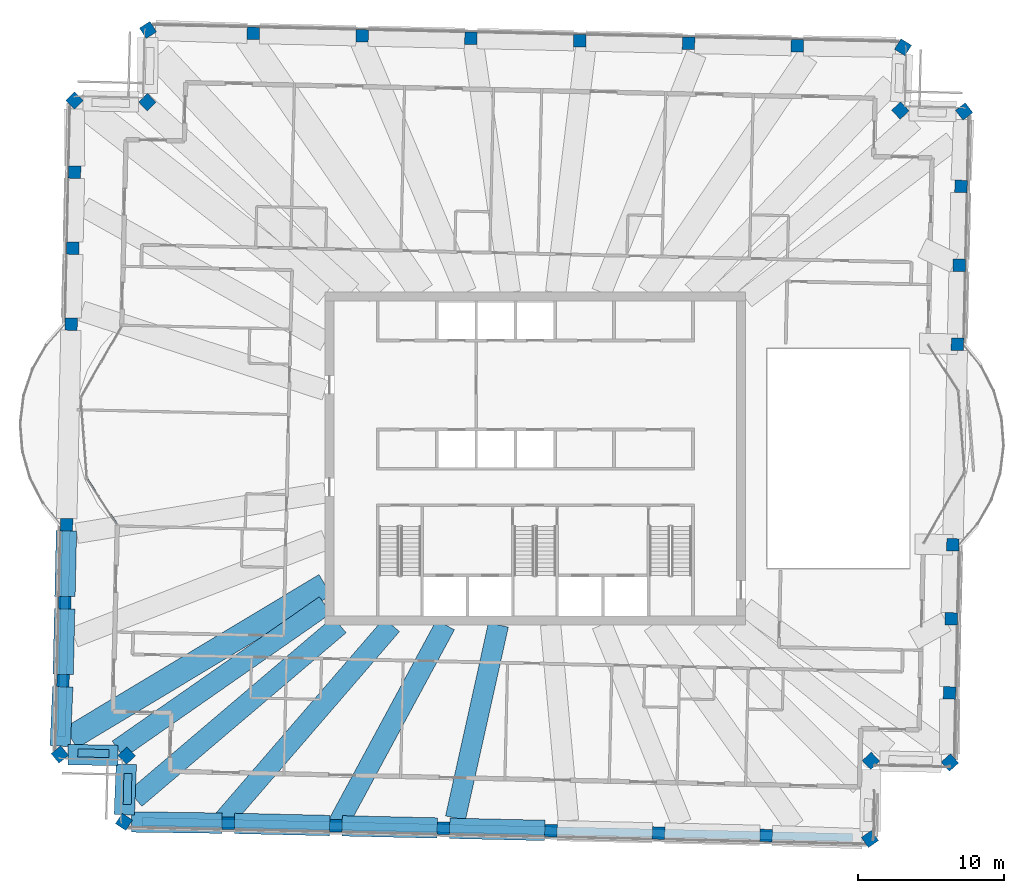
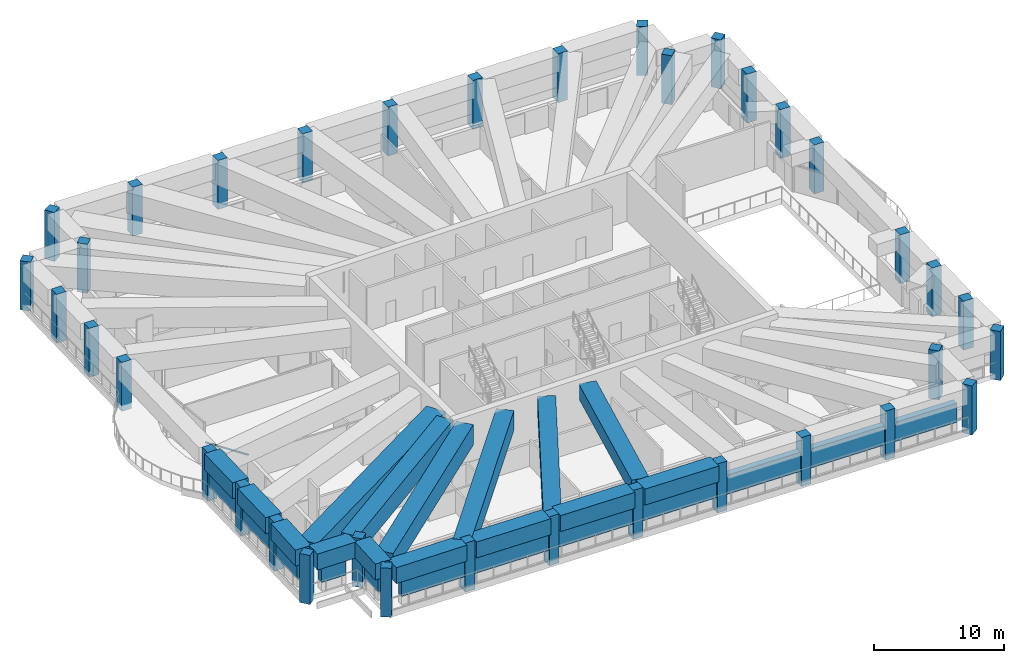
# One storey, part 1 of 21: 36 columns, 15 beams, 5 members, 1 element without a shape of its own.
"""IFC4 building model written with IfcOpenShell, lengths in metres."""

from ifc_helpers import new_model, si_unit, direction, frame, origin, origin_2d, place, context, subcontext, project, spatial, rectangle, extrude, material, material_profile, profile_set, type_object, element, aggregate, save


model = new_model("IFC4")

# Units and contexts
model_context = context("Model", 3, precision=1e-05, world=origin(), true_north=direction((0.0, 1.0)))
body_context = subcontext(model_context, "Body", "Model", "MODEL_VIEW")
ifc_project = project(units=[si_unit("LENGTHUNIT", "METRE"), si_unit("AREAUNIT", "SQUARE_METRE"), si_unit("VOLUMEUNIT", "CUBIC_METRE"), si_unit("PLANEANGLEUNIT", "RADIAN"), si_unit("MASSUNIT", "GRAM", prefix="KILO")], contexts=[model_context])

# Site, building, storey
site_placement = place(None, origin())
site = spatial("IfcSite", under=ifc_project, at=site_placement, CompositionType="ELEMENT")
building_placement = place(site_placement, origin())
building = spatial("IfcBuilding", under=site, at=building_placement, Name="Mangrove Gate Tower", CompositionType="ELEMENT")
storey_placement = place(building_placement, frame((0.0, 0.0, 329.699951171875)))
storey = spatial("IfcBuildingStorey", under=building, at=storey_placement, Name="L84", CompositionType="ELEMENT", Elevation=329.699951171875)

# Columns
ifc_material_1 = material(Name="Concrete C50/60", Category="concrete")
ifc_material_profile_1 = material_profile(ifc_material_1, rectangle(XDim=0.85009765625, YDim=0.85009765625, at=origin_2d()))
ifc_profile_set_1 = profile_set([ifc_material_profile_1], Name="Concrete C50/60")
column_type = type_object("IfcColumnType", Name="Column RC 850x850 C50/60", PredefinedType="COLUMN", material=ifc_profile_set_1)
for number, where, z_axis, x_axis, name in (
    (1, (-32.123046875, -4.53466796875, -0.550048828125), (0.0, 0.0, 1.0), (-0.022679760793, -0.999742781144, 0.0), "Column L84 W06"),
    (2, (-32.244140625, -9.87451171875, -0.550048828125), (0.0, 0.0, 1.0), (-0.022653360746, -0.999743379696, 0.0), "Column L84 W07"),
    (3, (-32.364990234375, -15.214599609375, -0.550048828125), (0.0, 0.0, 1.0), (-0.022746921185, -0.999741255314, 0.0), "Column L84 W08"),
    (4, (-32.583740234375, -20.275146484375, -0.550048828125), (0.0, 0.0, 1.0), (0.63510539695, -0.772425488164, 0.0), "Column L84 W09"),
    (5, (-28.005615234375, -20.3564453125, -0.550048828125), (0.0, 0.0, 1.0), (0.690863130287, -0.722985570541, 0.0), "Column L84 W10"),
    (6, (-28.183837890625, -24.8935546875, -0.550048828125), (0.0, 0.0, 1.0), (0.836135337265, -0.548523197118, 0.0), "Column L84 S01"),
    (7, (-21.038330078125, -24.9912109375, -0.550048828125), (0.0, 0.0, 1.0), (0.999743338971, -0.022655157973, 0.0), "Column L84 S02"),
    (8, (-13.66845703125, -25.158203125, -0.550048828125), (0.0, 0.0, 1.0), (0.999743338971, -0.022655157973, 0.0), "Column L84 S03"),
    (9, (-6.29931640625, -25.3251953125, -0.550048828125), (0.0, 0.0, 1.0), (0.999743338971, -0.022655157973, 0.0), "Column L84 S04"),
    (10, (1.070556640625, -25.4921875, -0.550048828125), (0.0, 0.0, 1.0), (0.999741800516, -0.02272294656, 0.0), "Column L84 S05"),
    (11, (8.439697265625, -25.66015625, -0.550048828125), (0.0, 0.0, 1.0), (0.999741800516, -0.02272294656, 0.0), "Column L84 S06"),
    (12, (15.8095703125, -25.8271484375, -0.550048828125), (0.0, 0.0, 1.0), (0.999743373766, -0.022653622478, 0.0), "Column L84 S07"),
    (13, (22.9267578125, -26.070556640625, -0.550048828125), (0.0, 0.0, 1.0), (0.81992028728, 0.572477704812, 0.0), "Column L84 S08"),
    (14, (22.998291015625, -20.713623046875, -0.550048828125), (0.0, 0.0, 1.0), (0.722965976266, 0.690883635037, 0.0), "Column L84 E01"),
    (15, (28.406982421875, -20.826904296875, -0.550048828125), (0.0, 0.0, 1.0), (0.744004906603, 0.66817415316, 0.0), "Column L84 E02"),
    (16, (28.381103515625, -16.059326171875, -0.550048828125), (0.0, 0.0, 1.0), (0.022660985877, 0.999743206888, 0.0), "Column L84 E03"),
    (17, (28.49609375, -10.986328125, -0.550048828125), (0.0, 0.0, 1.0), (0.022660985877, 0.999743206888, 0.0), "Column L84 E04"),
    (18, (28.611083984375, -5.912353515625, -0.550048828125), (0.0, 0.0, 1.0), (0.022681592917, 0.99974273958, 0.0), "Column L84 E05"),
    (19, (28.923095703125, 7.834716796875, -0.550048828125), (0.0, 0.0, 1.0), (0.022704799818, 0.999742212805, 0.0), "Column L84 E06"),
    (20, (29.046142578125, 13.24169921875, -0.550048828125), (0.0, 0.0, 1.0), (0.022652104431, 0.999743408163, 0.0), "Column L84 E07"),
    (21, (29.168212890625, 18.647705078125, -0.550048828125), (0.0, 0.0, 1.0), (0.022652104431, 0.999743408163, 0.0), "Column L84 E08"),
    (22, (29.38037109375, 23.784423828125, -0.550048828125), (0.0, 0.0, 1.0), (-0.613294984085, 0.789853950104, 0.0), "Column L84 E09"),
    (23, (25.009765625, 23.851318359375, -0.550048828125), (0.0, 0.0, 1.0), (-0.690854032309, 0.722994264183, 0.0), "Column L84 E10"),
    (24, (25.19287109375, 28.182861328125, -0.550048828125), (0.0, 0.0, 1.0), (-0.849493800932, 0.527598599484, 0.0), "Column L84 N01"),
    (25, (17.952392578125, 28.2880859375, -0.550048828125), (0.0, 0.0, 1.0), (-0.999743149141, 0.022663533403, 0.0), "Column L84 N02"),
    (26, (10.497314453125, 28.45703125, -0.550048828125), (0.0, 0.0, 1.0), (-0.999741662484, 0.022729018737, 0.0), "Column L84 N03"),
    (27, (3.041259765625, 28.627197265625, -0.550048828125), (0.0, 0.0, 1.0), (-0.999741662484, 0.022729018737, 0.0), "Column L84 N04"),
    (28, (-4.41357421875, 28.796142578125, -0.550048828125), (0.0, 0.0, 1.0), (-0.999743149141, 0.022663533403, 0.0), "Column L84 N05"),
    (29, (-11.86865234375, 28.965087890625, -0.550048828125), (0.0, 0.0, 1.0), (-0.999743149141, 0.022663533403, 0.0), "Column L84 N06"),
    (30, (-19.32373046875, 29.134033203125, -0.550048828125), (0.0, 0.0, 1.0), (-0.999743149141, 0.022663533403, 0.0), "Column L84 N07"),
    (31, (-26.54052734375, 29.36962890625, -0.550048828125), (0.0, 0.0, 1.0), (-0.843037190886, -0.537855273082, 0.0), "Column L84 N08"),
    (32, (-26.58935546875, 24.422607421875, -0.550048828125), (0.0, 0.0, 1.0), (-0.723044060513, -0.690801915571, 0.0), "Column L84 W01"),
    (33, (-31.582275390625, 24.541748046875, -0.550048828125), (0.0, 0.0, 1.0), (-0.708697722555, -0.70551225223, 0.0), "Column L84 W02"),
    (34, (-31.5751953125, 19.62646484375, -0.550048828125), (0.0, 0.0, 1.0), (-0.022655978068, -0.999743320387, 0.0), "Column L84 W03"),
    (35, (-31.693115234375, 14.41943359375, -0.550048828125), (0.0, 0.0, 1.0), (-0.022655978068, -0.999743320387, 0.0), "Column L84 W04"),
    (36, (-31.81103515625, 9.21240234375, -0.550048828125), (0.0, 0.0, 1.0), (-0.022680668131, -0.999742760561, 0.0), "Column L84 W05"),
):
    element("IfcColumn", number, at=place(storey_placement, frame(where, z_axis=z_axis, x_axis=x_axis)), inside=storey, type_object=column_type, Name=name, PredefinedType="COLUMN", context=body_context, shape_type="SweptSolid", body=[
        extrude(rectangle(XDim=0.85009765625, YDim=0.85009765625, at=origin_2d()), origin(), (0.0, 0.0, 1.0), 4.60009765625),
    ])

# Curtain wall, member
ifc_material_2 = material(Name="Aluminium and glass curtain wall", Category="aluminium")
curtain_wall_type = type_object("IfcCurtainWallType", Name="Crown garden glazing wall", PredefinedType="NOTDEFINED", material=ifc_material_2)
curtain_wall_placement = place(storey_placement, origin())
curtain_wall = element("IfcCurtainWall", 37, at=curtain_wall_placement, inside=storey, type_object=curtain_wall_type, Name="Crown garden glazing W9f3", PredefinedType="NOTDEFINED")
ifc_material_3 = material(Name="Aluminium alloy 6063-T6", Category="aluminium")
ifc_material_profile_2 = material_profile(ifc_material_3, rectangle(XDim=0.06005859375, YDim=0.110107421875, at=origin_2d()))
ifc_profile_set_2 = profile_set([ifc_material_profile_2], Name="Aluminium alloy 6063-T6")
member_type_1 = type_object("IfcMemberType", Name="Crown garden glazing transom 60x110", PredefinedType="USERDEFINED", material=ifc_profile_set_2)
member_1_placement = place(storey_placement, frame((-30.699462890625, -1.412353515625, 2.219970703125), z_axis=(0.546211360714, -0.837647389674, 0.0), x_axis=(0.0, 0.0, 1.0)))
member_1 = element("IfcMember", 38, at=member_1_placement, type_object=member_type_1, Name="CWC transom 1.2", ObjectType="TRANSOM", PredefinedType="USERDEFINED", context=body_context, shape_type="SweptSolid", body=[
    extrude(rectangle(XDim=0.06005859375, YDim=0.110107421875, at=origin_2d()), origin(), (0.0, 0.0, 1.0), 3.696044921875),
])
aggregate(curtain_wall, [member_1])

# Members
ifc_material_4 = material(Name="Planting on aluminium trellis", Category="aluminium")
ifc_material_profile_3 = material_profile(ifc_material_4, rectangle(XDim=0.550048828125, YDim=1.800048828125, at=origin_2d()))
ifc_profile_set_3 = profile_set([ifc_material_profile_3], Name="Planting on aluminium trellis")
member_type_2 = type_object("IfcMemberType", Name="Roof greenery screen 550x1800", PredefinedType="USERDEFINED", material=ifc_profile_set_3)
member_2_placement = place(storey_placement, frame((21.72900390625, -25.970947265625, 1.699951171875), z_axis=(-0.999743009218, 0.022669704886, 0.0), x_axis=(-0.022669704886, -0.999743009218, 0.0)))
element("IfcMember", 39, at=member_2_placement, inside=storey, type_object=member_type_2, Name="GREEN SCREEN L84 T1.8.6", ObjectType="PLANTING", PredefinedType="USERDEFINED", context=body_context, shape_type="SweptSolid", body=[
    extrude(rectangle(XDim=0.550048828125, YDim=1.800048828125, at=origin_2d()), origin(), (0.0, 0.0, 1.0), 48.699462890625),
])
member_3_placement = place(storey_placement, frame((-27.967041015625, -23.7080078125, 1.699951171875), z_axis=(0.022500871039, 0.999746823352, 0.0), x_axis=(-0.999746823352, 0.022500871039, 0.0)))
element("IfcMember", 40, at=member_3_placement, inside=storey, type_object=member_type_2, Name="GREEN SCREEN L84 T1.9.6", ObjectType="PLANTING", PredefinedType="USERDEFINED", context=body_context, shape_type="SweptSolid", body=[
    extrude(rectangle(XDim=0.550048828125, YDim=1.800048828125, at=origin_2d()), origin(), (0.0, 0.0, 1.0), 2.137451171875),
])
member_4_placement = place(storey_placement, frame((-29.216064453125, -20.214111328125, 1.699951171875), z_axis=(-0.999746591885, 0.022511153115, 0.0), x_axis=(-0.022511153115, -0.999746591885, 0.0)))
element("IfcMember", 41, at=member_4_placement, inside=storey, type_object=member_type_2, Name="GREEN SCREEN L84 T1.9.9", ObjectType="PLANTING", PredefinedType="USERDEFINED", context=body_context, shape_type="SweptSolid", body=[
    extrude(rectangle(XDim=0.550048828125, YDim=1.800048828125, at=origin_2d()), origin(), (0.0, 0.0, 1.0), 2.136474609375),
])
member_5_placement = place(storey_placement, frame((-32.4619140625, -19.054931640625, 1.699951171875), z_axis=(0.022652873988, 0.999743390726, 0.0), x_axis=(-0.999743390726, 0.022652873988, 0.0)))
element("IfcMember", 42, at=member_5_placement, inside=storey, type_object=member_type_2, Name="GREEN SCREEN L84 T1.10.6", ObjectType="PLANTING", PredefinedType="USERDEFINED", context=body_context, shape_type="SweptSolid", body=[
    extrude(rectangle(XDim=0.550048828125, YDim=1.800048828125, at=origin_2d()), origin(), (0.0, 0.0, 1.0), 14.16162109375),
])

# Beams
ifc_material_5 = material(Name="Concrete C50/60", Category="concrete")
ifc_material_profile_4 = material_profile(ifc_material_5, rectangle(XDim=1.39990234375, YDim=1.39990234375, at=origin_2d()))
ifc_profile_set_4 = profile_set([ifc_material_profile_4], Name="Concrete C50/60")
beam_type_1 = type_object("IfcBeamType", Name="Transfer girder RC 1400x1400 C50/60", PredefinedType="BEAM", material=ifc_profile_set_4)
beam_1_placement = place(storey_placement, frame((-2.532470703125, -11.39990234375, 3.35009765625), z_axis=(-0.216877080709, -0.976198920233, 0.0), x_axis=(0.976198920233, -0.216877080709, 0.0)))
element("IfcBeam", 43, at=beam_1_placement, inside=storey, type_object=beam_type_1, Name="Transfer girder L84 07", PredefinedType="BEAM", context=body_context, shape_type="SweptSolid", body=[
    extrude(rectangle(XDim=1.39990234375, YDim=1.39990234375, at=origin_2d()), origin(), (0.0, 0.0, 1.0), 13.560302734375),
])
ifc_material_6 = material(Name="Concrete C50/60", Category="concrete")
ifc_material_profile_5 = material_profile(ifc_material_6, rectangle(XDim=1.39990234375, YDim=1.5, at=origin_2d()))
ifc_profile_set_5 = profile_set([ifc_material_profile_5], Name="Concrete C50/60")
beam_type_2 = type_object("IfcBeamType", Name="Transfer girder RC 1400x1500 C50/60", PredefinedType="BEAM", material=ifc_profile_set_5)
for number, where, z_axis, x_axis, name in (
    (44, (-32.1328125, -4.95947265625, 3.300048828125), (-0.022612746219, -0.999744299163, 0.0), (0.999744299163, -0.022612746219, 0.0), "Transfer ring girder L84 00"),
    (45, (-32.253662109375, -10.299560546875, 3.300048828125), (-0.022667075886, -0.999743068829, 0.0), (0.999743068829, -0.022667075886, 0.0), "Transfer ring girder L84 01"),
):
    element("IfcBeam", number, at=place(storey_placement, frame(where, z_axis=z_axis, x_axis=x_axis)), inside=storey, type_object=beam_type_2, Name=name, PredefinedType="BEAM", context=body_context, shape_type="SweptSolid", body=[
        extrude(rectangle(XDim=1.39990234375, YDim=1.5, at=origin_2d()), origin(), (0.0, 0.0, 1.0), 4.491455078125),
    ])
beam_2_placement = place(storey_placement, frame((-32.383544921875, -15.639404296875, 3.300048828125), z_axis=(-0.04314038949, -0.999069020035, 0.0), x_axis=(0.999069020035, -0.04314038949, 0.0)))
element("IfcBeam", 46, at=beam_2_placement, inside=storey, type_object=beam_type_2, Name="Transfer ring girder L84 02", PredefinedType="BEAM", context=body_context, shape_type="SweptSolid", body=[
    extrude(rectangle(XDim=1.39990234375, YDim=1.5, at=origin_2d()), origin(), (0.0, 0.0, 1.0), 4.069091796875),
])
beam_3_placement = place(storey_placement, frame((-32.025390625, -20.284912109375, 3.300048828125), z_axis=(0.999842209921, -0.017763875153, 0.0), x_axis=(0.017763875153, 0.999842209921, 0.0)))
element("IfcBeam", 47, at=beam_3_placement, inside=storey, type_object=beam_type_2, Name="Transfer ring girder L84 03", PredefinedType="BEAM", context=body_context, shape_type="SweptSolid", body=[
    extrude(rectangle(XDim=1.39990234375, YDim=1.5, at=origin_2d()), origin(), (0.0, 0.0, 1.0), 3.422119140625),
])
beam_4_placement = place(storey_placement, frame((-28.029052734375, -20.947265625, 3.300048828125), z_axis=(-0.039163422827, -0.999232818873, 0.0), x_axis=(0.999232818873, -0.039163422827, 0.0)))
element("IfcBeam", 48, at=beam_4_placement, inside=storey, type_object=beam_type_2, Name="Transfer ring girder L84 04", PredefinedType="BEAM", context=body_context, shape_type="SweptSolid", body=[
    extrude(rectangle(XDim=1.39990234375, YDim=1.5, at=origin_2d()), origin(), (0.0, 0.0, 1.0), 3.45361328125),
])
beam_5_placement = place(storey_placement, frame((-27.68017578125, -24.900634765625, 3.300048828125), z_axis=(0.999907164256, -0.01362581629, 0.0), x_axis=(0.01362581629, 0.999907164256, 0.0)))
element("IfcBeam", 49, at=beam_5_placement, inside=storey, type_object=beam_type_2, Name="Transfer ring girder L84 05", PredefinedType="BEAM", context=body_context, shape_type="SweptSolid", body=[
    extrude(rectangle(XDim=1.39990234375, YDim=1.5, at=origin_2d()), origin(), (0.0, 0.0, 1.0), 6.21728515625),
])
beam_6_placement = place(storey_placement, frame((-20.613525390625, -25.000732421875, 3.300048828125), z_axis=(0.999743514138, -0.022647426744, 0.0), x_axis=(0.022647426744, 0.999743514138, 0.0)))
element("IfcBeam", 50, at=beam_6_placement, inside=storey, type_object=beam_type_2, Name="Transfer ring girder L84 06", PredefinedType="BEAM", context=body_context, shape_type="SweptSolid", body=[
    extrude(rectangle(XDim=1.39990234375, YDim=1.5, at=origin_2d()), origin(), (0.0, 0.0, 1.0), 6.52197265625),
])
beam_7_placement = place(storey_placement, frame((-13.243408203125, -25.167724609375, 3.300048828125), z_axis=(0.999743418111, -0.022651665342, 0.0), x_axis=(0.022651665342, 0.999743418111, 0.0)))
element("IfcBeam", 51, at=beam_7_placement, inside=storey, type_object=beam_type_2, Name="Transfer ring girder L84 07", PredefinedType="BEAM", context=body_context, shape_type="SweptSolid", body=[
    extrude(rectangle(XDim=1.39990234375, YDim=1.5, at=origin_2d()), origin(), (0.0, 0.0, 1.0), 6.520751953125),
])
beam_8_placement = place(storey_placement, frame((-5.87451171875, -25.334716796875, 3.300048828125), z_axis=(0.999743514138, -0.022647426744, 0.0), x_axis=(0.022647426744, 0.999743514138, 0.0)))
element("IfcBeam", 52, at=beam_8_placement, inside=storey, type_object=beam_type_2, Name="Transfer ring girder L84 08", PredefinedType="BEAM", context=body_context, shape_type="SweptSolid", body=[
    extrude(rectangle(XDim=1.39990234375, YDim=1.5, at=origin_2d()), origin(), (0.0, 0.0, 1.0), 6.52197265625),
])
ifc_material_7 = material(Name="Concrete C50/60", Category="concrete")
ifc_material_profile_6 = material_profile(ifc_material_7, rectangle(XDim=1.39990234375, YDim=1.60009765625, at=origin_2d()))
ifc_profile_set_6 = profile_set([ifc_material_profile_6], Name="Concrete C50/60")
beam_type_3 = type_object("IfcBeamType", Name="Transfer girder RC 1400x1600 C50/60", PredefinedType="BEAM", material=ifc_profile_set_6)
beam_9_placement = place(storey_placement, frame((-6.1591796875, -11.39990234375, 3.25), z_axis=(-0.475343002064, -0.879800562849, 0.0), x_axis=(0.879800562849, -0.475343002064, 0.0)))
element("IfcBeam", 53, at=beam_9_placement, inside=storey, type_object=beam_type_3, Name="Transfer girder L84 06", PredefinedType="BEAM", context=body_context, shape_type="SweptSolid", body=[
    extrude(rectangle(XDim=1.39990234375, YDim=1.60009765625, at=origin_2d()), origin(), (0.0, 0.0, 1.0), 15.639892578125),
])
ifc_material_8 = material(Name="Concrete C50/60", Category="concrete")
ifc_material_profile_7 = material_profile(ifc_material_8, rectangle(XDim=1.39990234375, YDim=1.800048828125, at=origin_2d()))
ifc_profile_set_7 = profile_set([ifc_material_profile_7], Name="Concrete C50/60")
beam_type_4 = type_object("IfcBeamType", Name="Transfer girder RC 1400x1800 C50/60", PredefinedType="BEAM", material=ifc_profile_set_7)
beam_10_placement = place(storey_placement, frame((-14.39990234375, -10.038818359375, 3.150146484375), z_axis=(-0.82033659438, -0.571880994545, 0.0), x_axis=(0.571880994545, -0.82033659438, 0.0)))
element("IfcBeam", 54, at=beam_10_placement, inside=storey, type_object=beam_type_4, Name="Transfer girder L84 03", PredefinedType="BEAM", context=body_context, shape_type="SweptSolid", body=[
    extrude(rectangle(XDim=1.39990234375, YDim=1.800048828125, at=origin_2d()), origin(), (0.0, 0.0, 1.0), 17.30517578125),
])
beam_11_placement = place(storey_placement, frame((-9.83837890625, -11.39990234375, 3.150146484375), z_axis=(-0.653349608554, -0.757056331459, 0.0), x_axis=(0.757056331459, -0.653349608554, 0.0)))
element("IfcBeam", 55, at=beam_11_placement, inside=storey, type_object=beam_type_4, Name="Transfer girder L84 05", PredefinedType="BEAM", context=body_context, shape_type="SweptSolid", body=[
    extrude(rectangle(XDim=1.39990234375, YDim=1.800048828125, at=origin_2d()), origin(), (0.0, 0.0, 1.0), 17.783203125),
])
ifc_material_9 = material(Name="Concrete C50/60", Category="concrete")
ifc_material_profile_8 = material_profile(ifc_material_9, rectangle(XDim=1.39990234375, YDim=1.89990234375, at=origin_2d()))
ifc_profile_set_8 = profile_set([ifc_material_profile_8], Name="Concrete C50/60")
beam_type_5 = type_object("IfcBeamType", Name="Transfer girder RC 1400x1900 C50/60", PredefinedType="BEAM", material=ifc_profile_set_8)
beam_12_placement = place(storey_placement, frame((-13.415283203125, -11.39990234375, 3.10009765625), z_axis=(-0.76201899242, -0.647554673515, 0.0), x_axis=(0.647554673515, -0.76201899242, 0.0)))
element("IfcBeam", 56, at=beam_12_placement, inside=storey, type_object=beam_type_5, Name="Transfer girder L84 04", PredefinedType="BEAM", context=body_context, shape_type="SweptSolid", body=[
    extrude(rectangle(XDim=1.39990234375, YDim=1.89990234375, at=origin_2d()), origin(), (0.0, 0.0, 1.0), 18.37060546875),
])
ifc_material_10 = material(Name="Concrete C50/60", Category="concrete")
ifc_material_profile_9 = material_profile(ifc_material_10, rectangle(XDim=1.64990234375, YDim=1.949951171875, at=origin_2d()))
ifc_profile_set_9 = profile_set([ifc_material_profile_9], Name="Concrete C50/60")
beam_type_6 = type_object("IfcBeamType", Name="Transfer girder RC 1650x1950 C50/60", PredefinedType="BEAM", material=ifc_profile_set_9)
beam_13_placement = place(storey_placement, frame((-14.39990234375, -8.655029296875, 3.074951171875), z_axis=(-0.857098687737, -0.515152248835, 0.0), x_axis=(0.515152248835, -0.857098687737, 0.0)))
element("IfcBeam", 57, at=beam_13_placement, inside=storey, type_object=beam_type_6, Name="Transfer girder L84 02", PredefinedType="BEAM", context=body_context, shape_type="SweptSolid", body=[
    extrude(rectangle(XDim=1.64990234375, YDim=1.949951171875, at=origin_2d()), origin(), (0.0, 0.0, 1.0), 20.339599609375),
])

save(model, "model.ifc")
